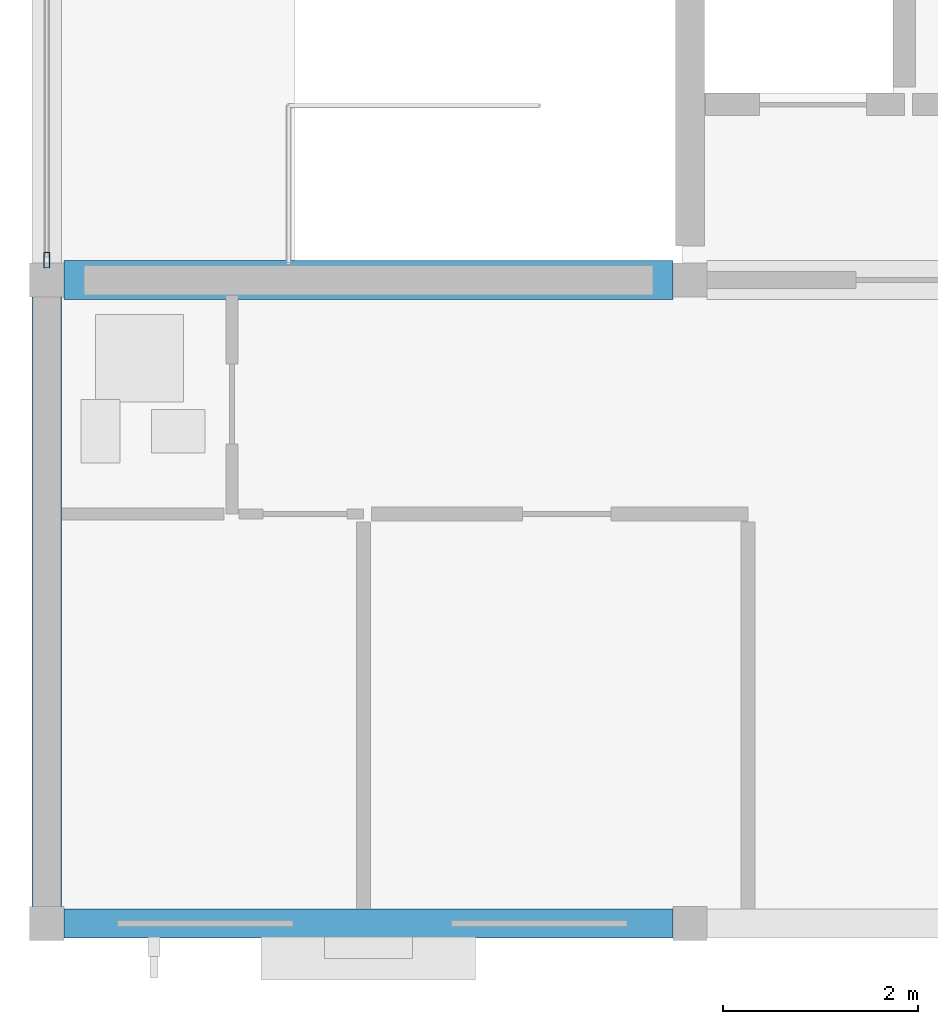
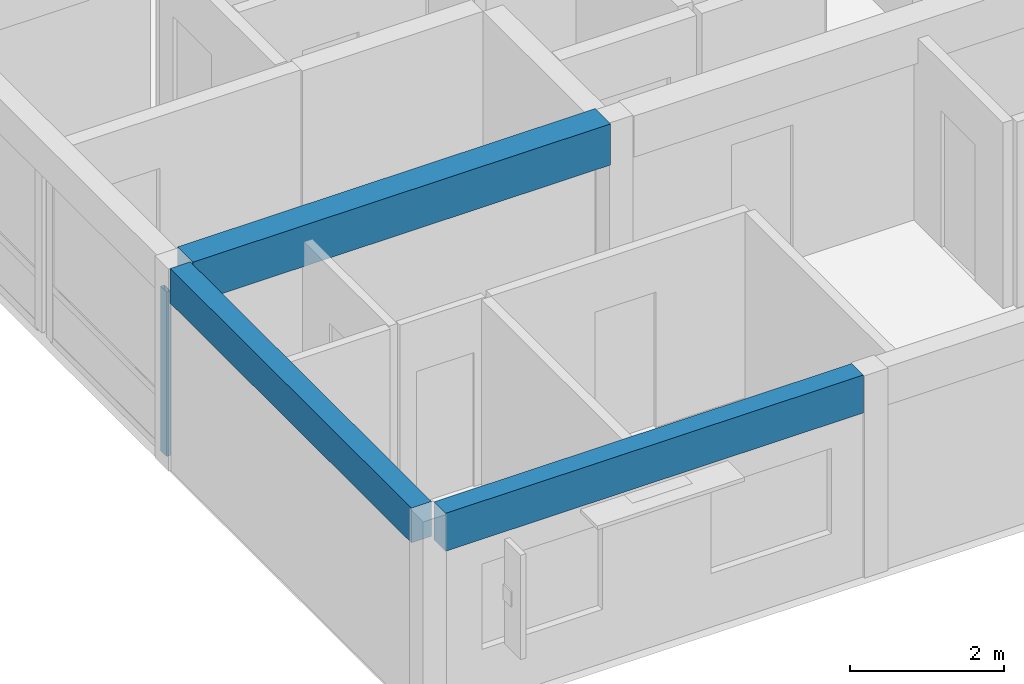
# One storey, part 5 of 49: 3 beams, 1 member, 1 element without a shape of its own.
"""IFC4 building model written with IfcOpenShell, lengths in metres."""

from ifc_helpers import new_model, si_unit, direction, frame, origin, origin_2d, place, context, subcontext, project, spatial, rectangle, hollow_rectangle, extrude, material, material_profile, profile_set, type_object, element, aggregate, save


model = new_model("IFC4")

# Units and contexts
model_context = context("Model", 3, precision=1e-05, world=origin(), true_north=direction((0.0, 1.0)))
body_context = subcontext(model_context, "Body", "Model", "MODEL_VIEW")
ifc_project = project(units=[si_unit("LENGTHUNIT", "METRE"), si_unit("AREAUNIT", "SQUARE_METRE"), si_unit("VOLUMEUNIT", "CUBIC_METRE"), si_unit("PLANEANGLEUNIT", "RADIAN"), si_unit("MASSUNIT", "GRAM", prefix="KILO")], contexts=[model_context])

# Site, building, storey
site_placement = place(None, origin())
site = spatial("IfcSite", under=ifc_project, at=site_placement, CompositionType="ELEMENT")
building_placement = place(site_placement, origin())
building = spatial("IfcBuilding", under=site, at=building_placement, Name="Kernevlak Ridge Housing Community", CompositionType="ELEMENT")
storey_placement = place(building_placement, frame((0.0, 0.0, 30.800048828125)))
storey = spatial("IfcBuildingStorey", under=building, at=storey_placement, Name="L09", CompositionType="ELEMENT", Elevation=30.800048828125)

# Beam
ifc_material_1 = material(Name="Concrete C35/45", Category="concrete")
ifc_material_profile_1 = material_profile(ifc_material_1, rectangle(XDim=0.39990234375, YDim=0.64990234375, at=origin_2d()), Name="RC 400x650")
ifc_profile_set_1 = profile_set([ifc_material_profile_1], Name="Concrete C35/45")
beam_type_1 = type_object("IfcBeamType", Name="B-03", PredefinedType="T_BEAM", material=ifc_profile_set_1)
beam_1_placement = place(storey_placement, frame((15.77490234375, 22.199951171875, 2.875), z_axis=(1.0, 0.0, 0.0), x_axis=(0.0, 1.0, 0.0)))
element("IfcBeam", 1, at=beam_1_placement, inside=storey, type_object=beam_type_1, Name="Beam B-03 L09 1518", PredefinedType="T_BEAM", context=body_context, shape_type="SweptSolid", body=[
    extrude(rectangle(XDim=0.39990234375, YDim=0.64990234375, at=origin_2d()), origin(), (0.0, 0.0, 1.0), 6.25),
])

# Curtain wall, member
ifc_material_2 = material(Name="Aluminium EN AW-6060 anodised and laminated glass", Category="aluminium")
curtain_wall_type = type_object("IfcCurtainWallType", Name="CW-10", PredefinedType="NOTDEFINED", material=ifc_material_2)
curtain_wall_placement = place(storey_placement, origin())
curtain_wall = element("IfcCurtainWall", 2, at=curtain_wall_placement, inside=storey, type_object=curtain_wall_type, Name="Curtain wall CW-10 CW-L09-166", PredefinedType="NOTDEFINED")
ifc_material_3 = material(Name="Aluminium EN AW-6060 anodised", Category="aluminium")
ifc_material_profile_2 = material_profile(ifc_material_3, hollow_rectangle(XDim=0.06005859375, YDim=0.159912109375, WallThickness=0.00390625, InnerFilletRadius=0.001953125, OuterFilletRadius=0.00390625, at=origin_2d()), Name="ALU 60x160x4")
ifc_profile_set_2 = profile_set([ifc_material_profile_2], Name="Aluminium EN AW-6060 anodised")
member_type = type_object("IfcMemberType", Name="MU-02", PredefinedType="MULLION", material=ifc_profile_set_2)
member_placement = place(storey_placement, frame((15.60009765625, 22.405029296875, 0.0), z_axis=(0.0, 0.0, 1.0), x_axis=(-1.0, 0.0, 0.0)))
member = element("IfcMember", 3, at=member_placement, type_object=member_type, Name="CW-10 mullion 1", PredefinedType="MULLION", context=body_context, shape_type="SweptSolid", body=[
    extrude(hollow_rectangle(XDim=0.06005859375, YDim=0.159912109375, WallThickness=0.00390625, InnerFilletRadius=0.001953125, OuterFilletRadius=0.00390625, at=origin_2d()), origin(), (0.0, 0.0, 1.0), 2.599853515625),
])
aggregate(curtain_wall, [member])

# Beams
ifc_material_profile_3 = material_profile(ifc_material_1, rectangle(XDim=0.300048828125, YDim=0.550048828125, at=origin_2d()), Name="RC 300x550")
ifc_profile_set_3 = profile_set([ifc_material_profile_3], Name="Concrete C35/45")
beam_type_2 = type_object("IfcBeamType", Name="SP-01", PredefinedType="SPANDREL", material=ifc_profile_set_3)
beam_2_placement = place(storey_placement, frame((15.60009765625, 15.77490234375, 2.925048828125), z_axis=(0.0, 1.0, 0.0), x_axis=(-1.0, 0.0, 0.0)))
element("IfcBeam", 4, at=beam_2_placement, inside=storey, type_object=beam_type_2, Name="Beam SP-01 L09 1527", PredefinedType="SPANDREL", context=body_context, shape_type="SweptSolid", body=[
    extrude(rectangle(XDim=0.300048828125, YDim=0.550048828125, at=origin_2d()), origin(), (0.0, 0.0, 1.0), 6.25),
])
ifc_material_profile_4 = material_profile(ifc_material_1, rectangle(XDim=0.300048828125, YDim=0.60009765625, at=origin_2d()), Name="RC 300x600")
ifc_profile_set_4 = profile_set([ifc_material_profile_4], Name="Concrete C35/45")
beam_type_3 = type_object("IfcBeamType", Name="SP-02", PredefinedType="SPANDREL", material=ifc_profile_set_4)
beam_3_placement = place(storey_placement, frame((15.77490234375, 15.60009765625, 2.89990234375), z_axis=(1.0, 0.0, 0.0), x_axis=(0.0, 1.0, 0.0)))
element("IfcBeam", 5, at=beam_3_placement, inside=storey, type_object=beam_type_3, Name="Beam SP-02 L09 1515", PredefinedType="SPANDREL", context=body_context, shape_type="SweptSolid", body=[
    extrude(rectangle(XDim=0.300048828125, YDim=0.60009765625, at=origin_2d()), origin(), (0.0, 0.0, 1.0), 6.25),
])

save(model, "model.ifc")
